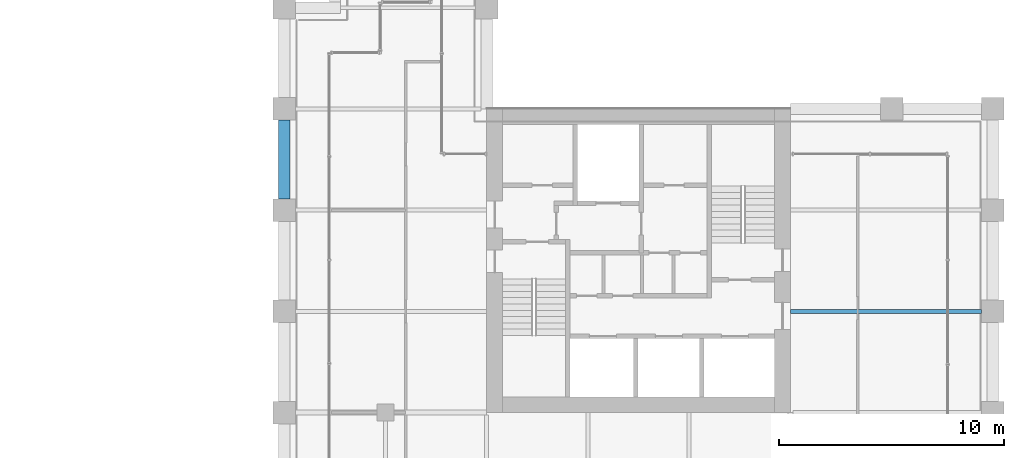
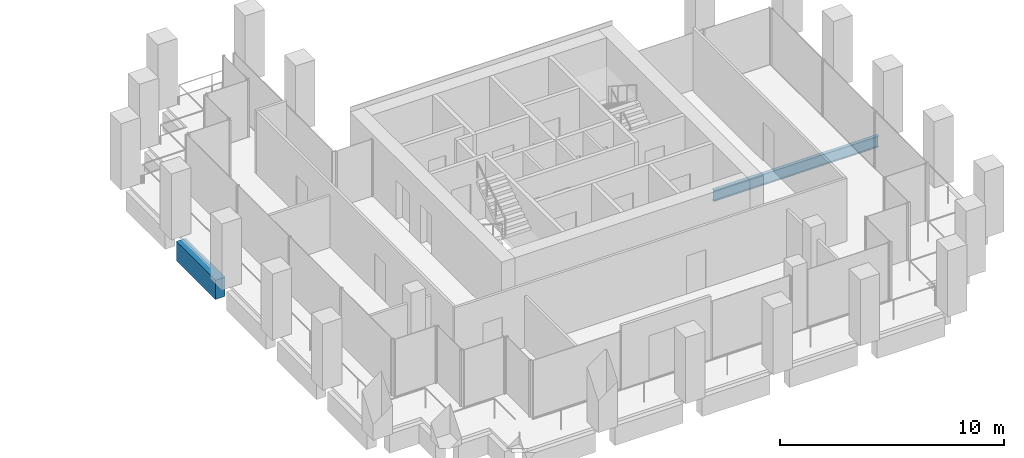
# One storey, part 33 of 46: 2 beams.
"""IFC4 building model written with IfcOpenShell, lengths in metres."""

from ifc_helpers import new_model, si_unit, direction, frame, origin, origin_2d, place, context, subcontext, project, spatial, rectangle, i_section, extrude, material, material_profile, profile_set, type_object, element, save


model = new_model("IFC4")

# Units and contexts
model_context = context("Model", 3, precision=1e-05, world=origin(), true_north=direction((0.0, 1.0)))
body_context = subcontext(model_context, "Body", "Model", "MODEL_VIEW")
ifc_project = project(units=[si_unit("LENGTHUNIT", "METRE"), si_unit("AREAUNIT", "SQUARE_METRE"), si_unit("VOLUMEUNIT", "CUBIC_METRE"), si_unit("PLANEANGLEUNIT", "RADIAN"), si_unit("MASSUNIT", "GRAM", prefix="KILO")], contexts=[model_context])

# Site, building, storey
site_placement = place(None, origin())
site = spatial("IfcSite", under=ifc_project, at=site_placement, CompositionType="ELEMENT")
building_placement = place(site_placement, origin())
building = spatial("IfcBuilding", under=site, at=building_placement, Name="Altepetl Exchange Towers", CompositionType="ELEMENT")
storey_placement = place(building_placement, frame((0.0, 0.0, 106.39990234375)))
storey = spatial("IfcBuildingStorey", under=building, at=storey_placement, Name="L26", CompositionType="ELEMENT", Elevation=106.39990234375)

# Beams
ifc_material_1 = material(Name="Steel S355", Category="steel")
ifc_material_profile_1 = material_profile(ifc_material_1, i_section(OverallWidth=0.177978515625, OverallDepth=0.59912109375, WebThickness=0.010009765625, FlangeThickness=0.0126953125, at=origin_2d()), Name="W24X55")
ifc_profile_set_1 = profile_set([ifc_material_profile_1], Name="Steel S355")
beam_type_1 = type_object("IfcBeamType", Name="Floor beam W24X55", PredefinedType="BEAM", material=ifc_profile_set_1)
beam_1_placement = place(storey_placement, frame((117.0, 40.5, -0.449462890625), z_axis=(1.0, 0.0, 0.0), x_axis=(0.0, 1.0, 0.0)))
element("IfcBeam", 1, at=beam_1_placement, inside=storey, type_object=beam_type_1, Name="bm:B:L26:002", PredefinedType="BEAM", context=body_context, shape_type="SweptSolid", body=[
    extrude(i_section(OverallWidth=0.177978515625, OverallDepth=0.59912109375, WebThickness=0.010009765625, FlangeThickness=0.0126953125, at=origin_2d()), origin(), (0.0, 0.0, 1.0), 8.5),
])
ifc_material_2 = material(Name="Concrete C50/60 precast with cantera rosa facing", Category="concrete")
ifc_material_profile_2 = material_profile(ifc_material_2, rectangle(XDim=0.5, YDim=1.050048828125, at=origin_2d()), Name="500 x 1050")
ifc_profile_set_2 = profile_set([ifc_material_profile_2], Name="Concrete C50/60 precast with cantera rosa facing")
beam_type_2 = type_object("IfcBeamType", Name="Spandrel beam 500x1050 cantera rosa", PredefinedType="SPANDREL", material=ifc_profile_set_2)
beam_2_placement = place(storey_placement, frame((94.5, 49.0, -0.6748046875), z_axis=(0.0, -1.0, 0.0), x_axis=(1.0, 0.0, 0.0)))
element("IfcBeam", 2, at=beam_2_placement, inside=storey, type_object=beam_type_2, Name="sp:B:L26:023", PredefinedType="SPANDREL", context=body_context, shape_type="SweptSolid", body=[
    extrude(rectangle(XDim=0.5, YDim=1.050048828125, at=origin_2d()), origin(), (0.0, 0.0, 1.0), 3.5),
])

save(model, "model.ifc")
